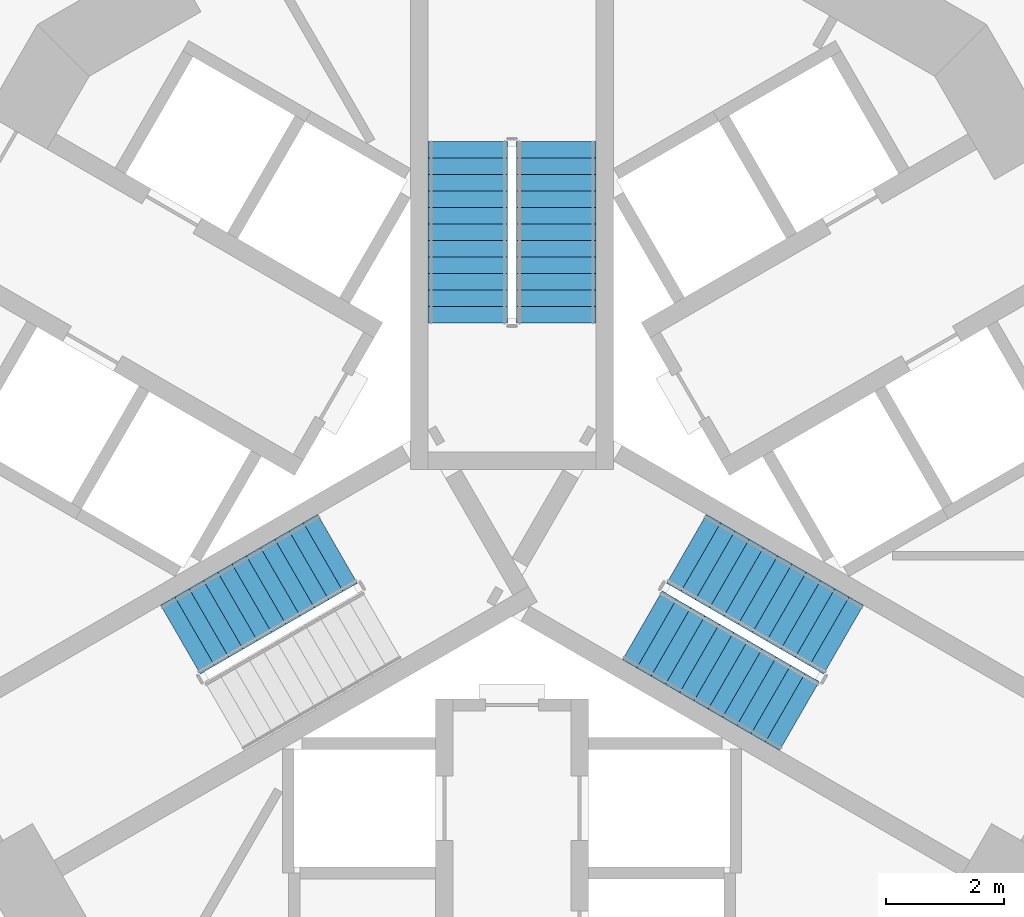
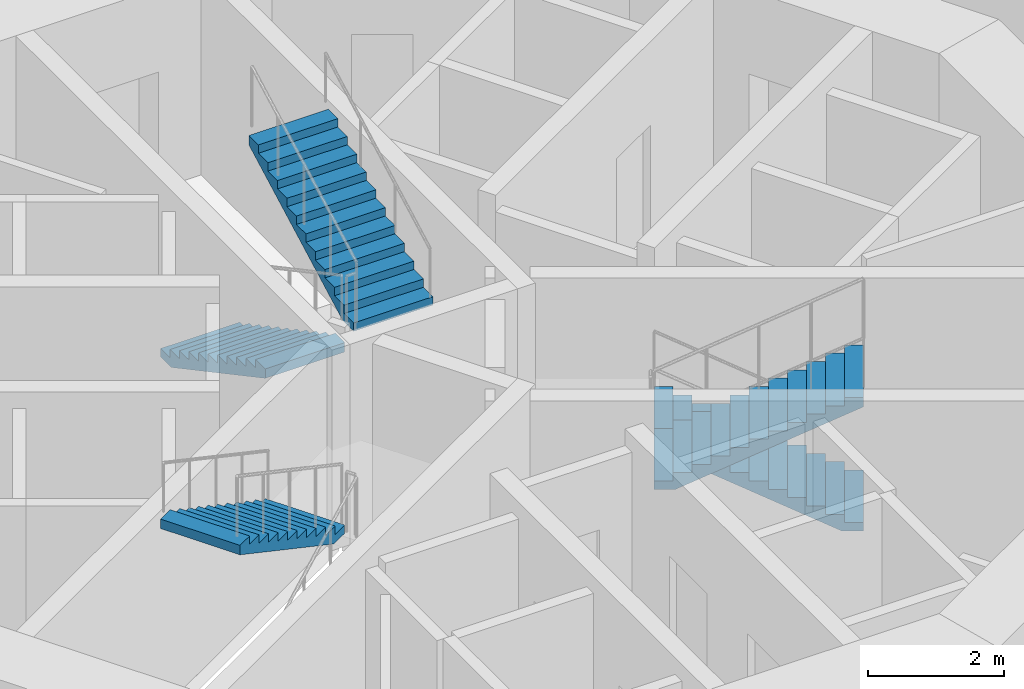
# One storey, part 11 of 20: 5 stair flights, 3 elements without a shape of their own.
"""IFC4 building model written with IfcOpenShell, lengths in metres."""

from ifc_helpers import new_model, si_unit, direction, frame, origin, place, context, subcontext, project, spatial, polyline, outline, extrude, material, type_object, element, aggregate, save


model = new_model("IFC4")

# Units and contexts
model_context = context("Model", 3, precision=1e-05, world=origin(), true_north=direction((0.0, 1.0)))
body_context = subcontext(model_context, "Body", "Model", "MODEL_VIEW")
ifc_project = project(units=[si_unit("LENGTHUNIT", "METRE"), si_unit("AREAUNIT", "SQUARE_METRE"), si_unit("VOLUMEUNIT", "CUBIC_METRE"), si_unit("PLANEANGLEUNIT", "RADIAN"), si_unit("MASSUNIT", "GRAM", prefix="KILO")], contexts=[model_context])

# Site, building, storey
site_placement = place(None, origin())
site = spatial("IfcSite", under=ifc_project, at=site_placement, CompositionType="ELEMENT")
building_placement = place(site_placement, origin())
building = spatial("IfcBuilding", under=site, at=building_placement, Name="Trine Commons Tower", CompositionType="ELEMENT")
storey_placement = place(building_placement, frame((0.0, 0.0, 38.699951171875)))
storey = spatial("IfcBuildingStorey", under=building, at=storey_placement, Name="L08", CompositionType="ELEMENT", Elevation=38.699951171875)

# Stair, stair flights
ifc_material = material(Name="Concrete C50/60", Category="concrete")
stair_type = type_object("IfcStairType", Name="Exit stair, dog-leg, 24 risers of 150 mm", PredefinedType="HALF_TURN_STAIR", material=ifc_material)
stair_1_placement = place(storey_placement, origin())
stair_1 = element("IfcStair", 1, at=stair_1_placement, inside=storey, type_object=stair_type, Name="L08 Exit stair ST1A", PredefinedType="HALF_TURN_STAIR")
stair_flight_type = type_object("IfcStairFlightType", Name="Stair flight, 1350 wide, 12 risers of 150 mm", PredefinedType="STRAIGHT", material=ifc_material)
stair_flight_1_placement = place(storey_placement, frame((79.25, 68.570556640625, 0.0), z_axis=(0.0, 0.0, 1.0), x_axis=(0.0, -1.0, 0.0)))
stair_flight_1 = element("IfcStairFlight", 2, at=stair_flight_1_placement, type_object=stair_flight_type, Name="ST1A flight 1", NumberOfRisers=12, NumberOfTreads=11, PredefinedType="STRAIGHT", RiserHeight=0.15, TreadLength=0.28, context=body_context, shape_type="SweptSolid", body=[
    extrude(outline(polyline([(0.0, 0.0), (0.0, 0.14990234375), (0.280029296875, 0.14990234375), (0.280029296875, 0.300048828125), (0.56005859375, 0.300048828125), (0.56005859375, 0.449951171875), (0.840087890625, 0.449951171875), (0.840087890625, 0.60009765625), (1.1201171875, 0.60009765625), (1.1201171875, 0.75), (1.39990234375, 0.75), (1.39990234375, 0.89990234375), (1.679931640625, 0.89990234375), (1.679931640625, 1.050048828125), (1.9599609375, 1.050048828125), (1.9599609375, 1.199951171875), (2.239990234375, 1.199951171875), (2.239990234375, 1.35009765625), (2.52001953125, 1.35009765625), (2.52001953125, 1.5), (2.800048828125, 1.5), (2.800048828125, 1.64990234375), (3.080078125, 1.64990234375), (3.080078125, 1.800048828125), (3.080078125, 1.47998046875), (0.3173828125, 0.0), (0.0, 0.0)])), frame((0.0, 0.675048828125, 0.0), z_axis=(0.0, -1.0, 0.0), x_axis=(1.0, 0.0, 0.0)), (0.0, 0.0, 1.0), 1.35009765625),
])
stair_flight_2_placement = place(storey_placement, frame((80.75, 65.490478515625, 1.800048828125), z_axis=(0.0, 0.0, 1.0), x_axis=(0.0, 1.0, 0.0)))
stair_flight_2 = element("IfcStairFlight", 3, at=stair_flight_2_placement, type_object=stair_flight_type, Name="ST1A flight 2", NumberOfRisers=12, NumberOfTreads=11, PredefinedType="STRAIGHT", RiserHeight=0.15, TreadLength=0.28, context=body_context, shape_type="SweptSolid", body=[
    extrude(outline(polyline([(0.0, 0.0), (0.0, 0.14990234375), (0.280029296875, 0.14990234375), (0.280029296875, 0.300048828125), (0.56005859375, 0.300048828125), (0.56005859375, 0.449951171875), (0.840087890625, 0.449951171875), (0.840087890625, 0.60009765625), (1.1201171875, 0.60009765625), (1.1201171875, 0.75), (1.39990234375, 0.75), (1.39990234375, 0.89990234375), (1.679931640625, 0.89990234375), (1.679931640625, 1.050048828125), (1.9599609375, 1.050048828125), (1.9599609375, 1.199951171875), (2.239990234375, 1.199951171875), (2.239990234375, 1.35009765625), (2.52001953125, 1.35009765625), (2.52001953125, 1.5), (2.800048828125, 1.5), (2.800048828125, 1.64990234375), (3.080078125, 1.64990234375), (3.080078125, 1.800048828125), (3.080078125, 1.47998046875), (0.3173828125, 0.0), (0.0, 0.0)])), frame((0.0, 0.675048828125, 0.0), z_axis=(0.0, -1.0, 0.0), x_axis=(1.0, 0.0, 0.0)), (0.0, 0.0, 1.0), 1.35009765625),
])
aggregate(stair_1, [stair_flight_1, stair_flight_2])

# Stair, stair flight
stair_2_placement = place(storey_placement, origin())
stair_2 = element("IfcStair", 4, at=stair_2_placement, inside=storey, type_object=stair_type, Name="L08 Exit stair ST2A", PredefinedType="HALF_TURN_STAIR")
stair_flight_3_placement = place(storey_placement, frame((77.03515625, 61.654296875, 1.800048828125), z_axis=(0.0, 0.0, 1.0), x_axis=(-0.866025403784, -0.5, 0.0)))
stair_flight_3 = element("IfcStairFlight", 5, at=stair_flight_3_placement, type_object=stair_flight_type, Name="ST2A flight 2", NumberOfRisers=12, NumberOfTreads=11, PredefinedType="STRAIGHT", RiserHeight=0.15, TreadLength=0.28, context=body_context, shape_type="SweptSolid", body=[
    extrude(outline(polyline([(0.0, 0.0), (0.0, 0.14990234375), (0.280029296875, 0.14990234375), (0.280029296875, 0.300048828125), (0.56005859375, 0.300048828125), (0.56005859375, 0.449951171875), (0.840087890625, 0.449951171875), (0.840087890625, 0.60009765625), (1.1201171875, 0.60009765625), (1.1201171875, 0.75), (1.39990234375, 0.75), (1.39990234375, 0.89990234375), (1.679931640625, 0.89990234375), (1.679931640625, 1.050048828125), (1.9599609375, 1.050048828125), (1.9599609375, 1.199951171875), (2.239990234375, 1.199951171875), (2.239990234375, 1.35009765625), (2.52001953125, 1.35009765625), (2.52001953125, 1.5), (2.800048828125, 1.5), (2.800048828125, 1.64990234375), (3.080078125, 1.64990234375), (3.080078125, 1.800048828125), (3.080078125, 1.47998046875), (0.3173828125, 0.0), (0.0, 0.0)])), frame((0.0, 0.675048828125, 0.0), z_axis=(0.0, -1.0, 0.0), x_axis=(1.0, 0.0, 0.0)), (0.0, 0.0, 1.0), 1.35009765625),
])
aggregate(stair_2, [stair_flight_3])

# Stair, stair flights
stair_3_placement = place(storey_placement, origin())
stair_3 = element("IfcStair", 6, at=stair_3_placement, inside=storey, type_object=stair_type, Name="L08 Exit stair ST3A", PredefinedType="HALF_TURN_STAIR")
stair_flight_4_placement = place(storey_placement, frame((85.63232421875, 60.1142578125, 0.0), z_axis=(0.0, 0.0, 1.0), x_axis=(-0.866025403784, 0.5, 0.0)))
stair_flight_4 = element("IfcStairFlight", 7, at=stair_flight_4_placement, type_object=stair_flight_type, Name="ST3A flight 1", NumberOfRisers=12, NumberOfTreads=11, PredefinedType="STRAIGHT", RiserHeight=0.15, TreadLength=0.28, context=body_context, shape_type="SweptSolid", body=[
    extrude(outline(polyline([(0.0, 0.0), (0.0, 0.14990234375), (0.280029296875, 0.14990234375), (0.280029296875, 0.300048828125), (0.56005859375, 0.300048828125), (0.56005859375, 0.449951171875), (0.840087890625, 0.449951171875), (0.840087890625, 0.60009765625), (1.1201171875, 0.60009765625), (1.1201171875, 0.75), (1.39990234375, 0.75), (1.39990234375, 0.89990234375), (1.679931640625, 0.89990234375), (1.679931640625, 1.050048828125), (1.9599609375, 1.050048828125), (1.9599609375, 1.199951171875), (2.239990234375, 1.199951171875), (2.239990234375, 1.35009765625), (2.52001953125, 1.35009765625), (2.52001953125, 1.5), (2.800048828125, 1.5), (2.800048828125, 1.64990234375), (3.080078125, 1.64990234375), (3.080078125, 1.800048828125), (3.080078125, 1.47998046875), (0.3173828125, 0.0), (0.0, 0.0)])), frame((0.0, 0.675048828125, 0.0), z_axis=(0.0, -1.0, 0.0), x_axis=(1.0, 0.0, 0.0)), (0.0, 0.0, 1.0), 1.35009765625),
])
stair_flight_5_placement = place(storey_placement, frame((82.21484375, 60.355224609375, 1.800048828125), z_axis=(0.0, 0.0, 1.0), x_axis=(0.866025403784, -0.5, 0.0)))
stair_flight_5 = element("IfcStairFlight", 8, at=stair_flight_5_placement, type_object=stair_flight_type, Name="ST3A flight 2", NumberOfRisers=12, NumberOfTreads=11, PredefinedType="STRAIGHT", RiserHeight=0.15, TreadLength=0.28, context=body_context, shape_type="SweptSolid", body=[
    extrude(outline(polyline([(0.0, 0.0), (0.0, 0.14990234375), (0.280029296875, 0.14990234375), (0.280029296875, 0.300048828125), (0.56005859375, 0.300048828125), (0.56005859375, 0.449951171875), (0.840087890625, 0.449951171875), (0.840087890625, 0.60009765625), (1.1201171875, 0.60009765625), (1.1201171875, 0.75), (1.39990234375, 0.75), (1.39990234375, 0.89990234375), (1.679931640625, 0.89990234375), (1.679931640625, 1.050048828125), (1.9599609375, 1.050048828125), (1.9599609375, 1.199951171875), (2.239990234375, 1.199951171875), (2.239990234375, 1.35009765625), (2.52001953125, 1.35009765625), (2.52001953125, 1.5), (2.800048828125, 1.5), (2.800048828125, 1.64990234375), (3.080078125, 1.64990234375), (3.080078125, 1.800048828125), (3.080078125, 1.47998046875), (0.3173828125, 0.0), (0.0, 0.0)])), frame((0.0, 0.675048828125, 0.0), z_axis=(0.0, -1.0, 0.0), x_axis=(1.0, 0.0, 0.0)), (0.0, 0.0, 1.0), 1.35009765625),
])
aggregate(stair_3, [stair_flight_4, stair_flight_5])

save(model, "model.ifc")
